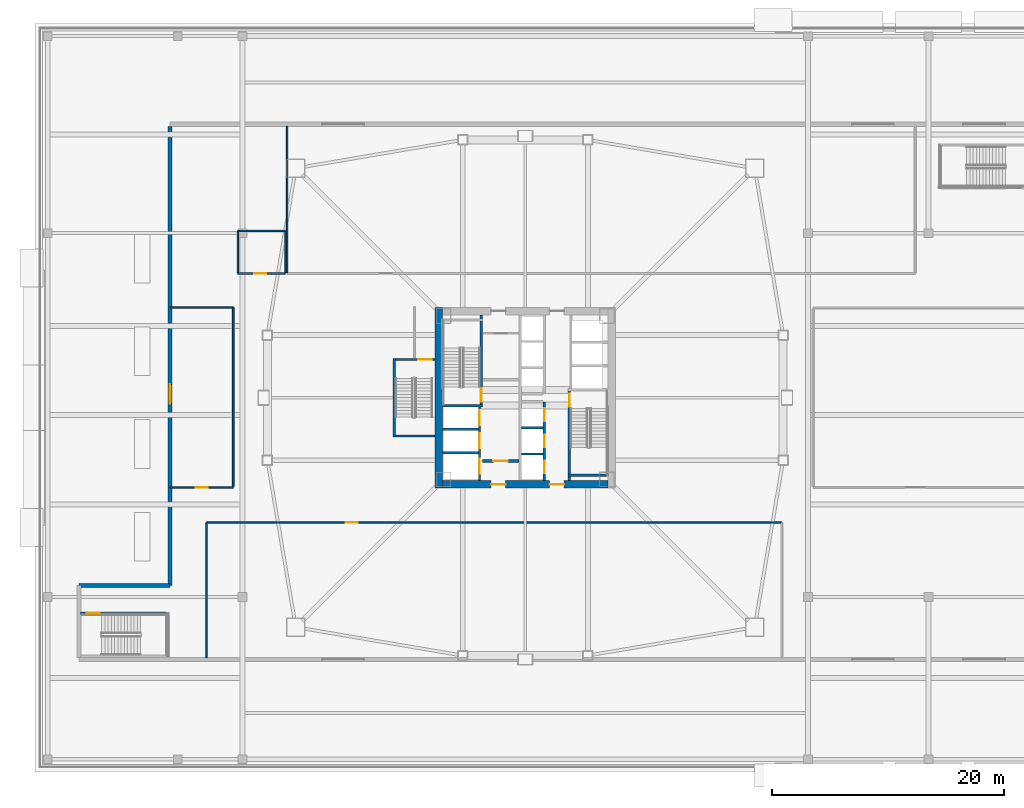
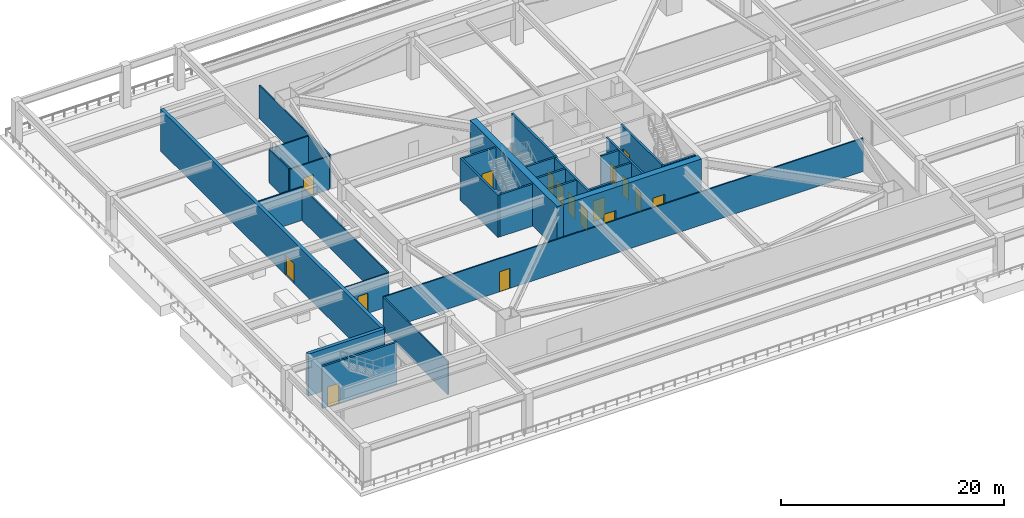
# One storey, part 6 of 21: 29 walls, 17 doors, 17 openings.
"""IFC4 building model written with IfcOpenShell, lengths in metres."""

from ifc_helpers import new_model, si_unit, direction, frame, frame_2d, origin, place, context, subcontext, project, spatial, rectangle, extrude, material, layer, layer_set, type_object, element, fill, save


model = new_model("IFC4")

# Units and contexts
model_context = context("Model", 3, precision=1e-05, world=origin(), true_north=direction((0.0, 1.0)))
body_context = subcontext(model_context, "Body", "Model", "MODEL_VIEW")
ifc_project = project(units=[si_unit("LENGTHUNIT", "METRE"), si_unit("AREAUNIT", "SQUARE_METRE"), si_unit("VOLUMEUNIT", "CUBIC_METRE"), si_unit("PLANEANGLEUNIT", "RADIAN"), si_unit("MASSUNIT", "GRAM", prefix="KILO")], contexts=[model_context])

# Site, building, storey
site_placement = place(None, origin())
site = spatial("IfcSite", under=ifc_project, at=site_placement, CompositionType="ELEMENT")
building_placement = place(site_placement, origin())
building = spatial("IfcBuilding", under=site, at=building_placement, Name="Tashvorn Skyway Center", CompositionType="ELEMENT")
storey_placement = place(building_placement, frame((0.0, 0.0, 19.800048828125)))
storey = spatial("IfcBuildingStorey", under=building, at=storey_placement, Name="L04", CompositionType="ELEMENT", Elevation=19.800048828125)

# Wall
ifc_material_1 = material(Name="Concrete C60/75", Category="concrete")
ifc_layer_1 = layer(ifc_material_1, 0.64990234375)
ifc_layer_set_1 = layer_set([ifc_layer_1], Name="Concrete C60/75")
wall_type_1 = type_object("IfcWallType", Name="WALL-CORE-650", PredefinedType="SHEAR", material=ifc_layer_set_1)
wall_1_placement = place(storey_placement, frame((34.52490234375, 24.199951171875, 0.0), z_axis=(0.0, 0.0, 1.0), x_axis=(0.0, 1.0, 0.0)))
element("IfcWall", 1, at=wall_1_placement, inside=storey, type_object=wall_type_1, Name="Tower 1 L04 West Core Shear Wall", PredefinedType="SHEAR", context=body_context, shape_type="SweptSolid", body=[
    extrude(rectangle(XDim=15.60009765625, YDim=0.64990234375, at=frame_2d((7.800048828125, 0.0))), origin(), (0.0, 0.0, 1.0), 4.800048828125),
])

# Wall, openings, doors
wall_2_placement = place(storey_placement, frame((49.14990234375, 24.52490234375, 0.0), z_axis=(0.0, 0.0, 1.0), x_axis=(-1.0, 0.0, 0.0)))
wall_2 = element("IfcWall", 2, at=wall_2_placement, inside=storey, type_object=wall_type_1, Name="Tower 1 L04 South Core Shear Wall", PredefinedType="SHEAR", context=body_context, shape_type="SweptSolid", body=[
    extrude(rectangle(XDim=14.2998046875, YDim=0.64990234375, at=frame_2d((7.14990234375, 0.0))), origin(), (0.0, 0.0, 1.0), 4.800048828125),
])
opening_1_placement = place(wall_2_placement, frame((8.85009765625, 0.0, 0.0)))
opening_1 = element("IfcOpeningElement", 3, at=opening_1_placement, cuts=wall_2, Name="Opening D-FFL-1250", PredefinedType="OPENING", context=body_context, shape_type="SweptSolid", body=[
    extrude(rectangle(XDim=1.25, YDim=2.25, at=frame_2d((0.625, 1.125))), frame((0.0, 0.3349609375, 0.0), z_axis=(0.0, -1.0, 0.0), x_axis=(1.0, 0.0, 0.0)), (0.0, 0.0, 1.0), 0.669921875),
])
opening_2_placement = place(wall_2_placement, frame((3.800048828125, 0.0, 0.0)))
opening_2 = element("IfcOpeningElement", 4, at=opening_2_placement, cuts=wall_2, Name="Opening D-FFL-1250", PredefinedType="OPENING", context=body_context, shape_type="SweptSolid", body=[
    extrude(rectangle(XDim=1.25, YDim=2.25, at=frame_2d((0.625, 1.125))), frame((0.0, 0.3349609375, 0.0), z_axis=(0.0, -1.0, 0.0), x_axis=(1.0, 0.0, 0.0)), (0.0, 0.0, 1.0), 0.669921875),
])
ifc_material_2 = material(Name="Hollow galvanized steel fire door assembly", Category="steel")
door_type_1 = type_object("IfcDoorType", Name="DOOR-FFL-1250", OperationType="NOTDEFINED", PredefinedType="DOOR", material=ifc_material_2)
door_1_placement = place(opening_1_placement, origin())
door_1 = element("IfcDoor", 5, at=door_1_placement, inside=storey, type_object=door_type_1, Name="Tower 1 L04 Core South Firefighting Exit Door", OperationType="SINGLE_SWING_LEFT", OverallHeight=2.25, OverallWidth=1.25, PredefinedType="DOOR", context=body_context, shape_type="SweptSolid", body=[
    extrude(rectangle(XDim=1.25, YDim=2.25, at=frame_2d((0.625, 1.125))), frame((0.0, 0.02490234375, 0.0), z_axis=(0.0, -1.0, 0.0), x_axis=(1.0, 0.0, 0.0)), (0.0, 0.0, 1.0), 0.050048828125),
])
fill(opening_1, door_1)
door_2_placement = place(opening_2_placement, origin())
door_2 = element("IfcDoor", 6, at=door_2_placement, inside=storey, type_object=door_type_1, Name="Tower 1 L04 Core South Lift Lobby Door", OperationType="SINGLE_SWING_RIGHT", OverallHeight=2.25, OverallWidth=1.25, PredefinedType="DOOR", context=body_context, shape_type="SweptSolid", body=[
    extrude(rectangle(XDim=1.25, YDim=2.25, at=frame_2d((0.625, 1.125))), frame((0.0, 0.02490234375, 0.0), z_axis=(0.0, -1.0, 0.0), x_axis=(1.0, 0.0, 0.0)), (0.0, 0.0, 1.0), 0.050048828125),
])
fill(opening_2, door_2)

# Wall
ifc_material_3 = material(Name="Precast concrete C40/50", Category="concrete")
ifc_layer_2 = layer(ifc_material_3, 0.35009765625)
ifc_layer_set_2 = layer_set([ifc_layer_2], Name="Precast concrete C40/50")
wall_type_2 = type_object("IfcWallType", Name="WALL-EXT-350", PredefinedType="SOLIDWALL", material=ifc_layer_set_2)
wall_3_placement = place(storey_placement, frame((3.5, 15.800048828125, 0.0), z_axis=(0.0, 0.0, 1.0), x_axis=(1.0, 0.0, 0.0)))
element("IfcWall", 7, at=wall_3_placement, inside=storey, type_object=wall_type_2, Name="L04 Stair Pavilion North Step Wall", PredefinedType="SOLIDWALL", context=body_context, shape_type="SweptSolid", body=[
    extrude(rectangle(XDim=7.85009765625, YDim=0.35009765625, at=frame_2d((3.925048828125, 0.0))), origin(), (0.0, 0.0, 1.0), 4.599853515625),
])

# Wall, opening, door
wall_4_placement = place(storey_placement, frame((11.35009765625, 15.800048828125, 0.0), z_axis=(0.0, 0.0, 1.0), x_axis=(0.0, 1.0, 0.0)))
wall_4 = element("IfcWall", 8, at=wall_4_placement, inside=storey, type_object=wall_type_2, Name="L04 Stepped West Postmodern Facade Wall", PredefinedType="SOLIDWALL", context=body_context, shape_type="SweptSolid", body=[
    extrude(rectangle(XDim=39.625, YDim=0.35009765625, at=frame_2d((19.8125, 0.0))), origin(), (0.0, 0.0, 1.0), 4.599853515625),
])
opening_3_placement = place(wall_4_placement, frame((15.699951171875, 0.0, 0.0)))
opening_3 = element("IfcOpeningElement", 9, at=opening_3_placement, cuts=wall_4, Name="Opening D-TER-1650", PredefinedType="OPENING", context=body_context, shape_type="SweptSolid", body=[
    extrude(rectangle(XDim=1.64990234375, YDim=2.199951171875, at=frame_2d((0.824951171875, 1.10009765625))), frame((0.0, 0.18505859375, 0.0), z_axis=(0.0, -1.0, 0.0), x_axis=(1.0, 0.0, 0.0)), (0.0, 0.0, 1.0), 0.3701171875),
])
ifc_material_4 = material(Name="Thermally broken bronze-anodized aluminium 6063-T6", Category="aluminium")
door_type_2 = type_object("IfcDoorType", Name="DOOR-TERR-1650", OperationType="DOUBLE_DOOR_SINGLE_SWING", PredefinedType="DOOR", material=ifc_material_4)
door_3_placement = place(opening_3_placement, origin())
door_3 = element("IfcDoor", 10, at=door_3_placement, inside=storey, type_object=door_type_2, Name="L04 Stepped Colonnade Terrace Access Door", OperationType="DOUBLE_DOOR_SINGLE_SWING", OverallHeight=2.199951171875, OverallWidth=1.64990234375, PredefinedType="DOOR", context=body_context, shape_type="SweptSolid", body=[
    extrude(rectangle(XDim=1.64990234375, YDim=2.199951171875, at=frame_2d((0.824951171875, 1.10009765625))), frame((0.0, 0.02490234375, 0.0), z_axis=(0.0, -1.0, 0.0), x_axis=(1.0, 0.0, 0.0)), (0.0, 0.0, 1.0), 0.050048828125),
])
fill(opening_3, door_3)

ifc_material_5 = material(Name="Concrete C40/50", Category="concrete")
ifc_layer_3 = layer(ifc_material_5, 0.219970703125)
ifc_layer_set_3 = layer_set([ifc_layer_3], Name="Concrete C40/50")
wall_type_3 = type_object("IfcWallType", Name="WALL-FFL-220", PredefinedType="SOLIDWALL", material=ifc_layer_set_3)
wall_5_placement = place(storey_placement, frame((38.300048828125, 26.5400390625, 0.0), z_axis=(0.0, 0.0, 1.0), x_axis=(1.0, 0.0, 0.0)))
wall_5 = element("IfcWall", 11, at=wall_5_placement, inside=storey, type_object=wall_type_3, Name="Tower 1 L04 Firefighting Lobby South Wall", PredefinedType="SOLIDWALL", context=body_context, shape_type="SweptSolid", body=[
    extrude(rectangle(XDim=3.14990234375, YDim=0.219970703125, at=frame_2d((1.574951171875, 0.0))), origin(), (0.0, 0.0, 1.0), 3.64306640625),
])
opening_4_placement = place(wall_5_placement, frame((0.949951171875, 0.0, 0.0)))
opening_4 = element("IfcOpeningElement", 12, at=opening_4_placement, cuts=wall_5, Name="Opening D-FFL-1250", PredefinedType="OPENING", context=body_context, shape_type="SweptSolid", body=[
    extrude(rectangle(XDim=1.25, YDim=2.25, at=frame_2d((0.625, 1.125))), frame((0.0, 0.119873046875, 0.0), z_axis=(0.0, -1.0, 0.0), x_axis=(1.0, 0.0, 0.0)), (0.0, 0.0, 1.0), 0.239990234375),
])
door_4_placement = place(opening_4_placement, origin())
door_4 = element("IfcDoor", 13, at=door_4_placement, inside=storey, type_object=door_type_1, Name="Tower 1 L04 Firefighting Lobby Egress Door", OperationType="SINGLE_SWING_LEFT", OverallHeight=2.25, OverallWidth=1.25, PredefinedType="DOOR", context=body_context, shape_type="SweptSolid", body=[
    extrude(rectangle(XDim=1.25, YDim=2.25, at=frame_2d((0.625, 1.125))), frame((0.0, 0.02490234375, 0.0), z_axis=(0.0, -1.0, 0.0), x_axis=(1.0, 0.0, 0.0)), (0.0, 0.0, 1.0), 0.050048828125),
])
fill(opening_4, door_4)

ifc_material_6 = material(Name="Gypsum board on cold-formed steel stud framing", Category="steel")
ifc_layer_4 = layer(ifc_material_6, 0.135009765625)
ifc_layer_set_4 = layer_set([ifc_layer_4], Name="Gypsum board on cold-formed steel stud framing")
wall_type_4 = type_object("IfcWallType", Name="WALL-PART-135", PredefinedType="PARTITIONING", material=ifc_layer_set_4)
wall_6_placement = place(storey_placement, frame((11.35009765625, 24.25, 0.0), z_axis=(0.0, 0.0, 1.0), x_axis=(1.0, 0.0, 0.0)))
wall_6 = element("IfcWall", 14, at=wall_6_placement, inside=storey, type_object=wall_type_4, Name="L04 West Suite South Wall", PredefinedType="PARTITIONING", context=body_context, shape_type="SweptSolid", body=[
    extrude(rectangle(XDim=5.449951171875, YDim=0.135009765625, at=frame_2d((2.72509765625, 0.0))), origin(), (0.0, 0.0, 1.0), 3.64306640625),
])
opening_5_placement = place(wall_6_placement, frame((2.199951171875, 0.0, 0.0)))
opening_5 = element("IfcOpeningElement", 15, at=opening_5_placement, cuts=wall_6, Name="Opening D-ACC-1050", PredefinedType="OPENING", context=body_context, shape_type="SweptSolid", body=[
    extrude(rectangle(XDim=1.050048828125, YDim=2.199951171875, at=frame_2d((0.52490234375, 1.10009765625))), frame((0.0, 0.077392578125, 0.0), z_axis=(0.0, -1.0, 0.0), x_axis=(1.0, 0.0, 0.0)), (0.0, 0.0, 1.0), 0.155029296875),
])
ifc_material_7 = material(Name="Solid-core architectural oak veneer door")
door_type_3 = type_object("IfcDoorType", Name="DOOR-ACC-1050", OperationType="NOTDEFINED", PredefinedType="DOOR", material=ifc_material_7)
door_5_placement = place(opening_5_placement, origin())
door_5 = element("IfcDoor", 16, at=door_5_placement, inside=storey, type_object=door_type_3, Name="L04 Occupational Health Clinic Door", OperationType="SINGLE_SWING_LEFT", OverallHeight=2.199951171875, OverallWidth=1.050048828125, PredefinedType="DOOR", context=body_context, shape_type="SweptSolid", body=[
    extrude(rectangle(XDim=1.050048828125, YDim=2.199951171875, at=frame_2d((0.52490234375, 1.10009765625))), frame((0.0, 0.02490234375, 0.0), z_axis=(0.0, -1.0, 0.0), x_axis=(1.0, 0.0, 0.0)), (0.0, 0.0, 1.0), 0.050048828125),
])
fill(opening_5, door_5)

# Walls
wall_7_placement = place(storey_placement, frame((16.800048828125, 24.35009765625, 0.0), z_axis=(0.0, 0.0, 1.0), x_axis=(0.0, 1.0, 0.0)))
element("IfcWall", 17, at=wall_7_placement, inside=storey, type_object=wall_type_4, Name="L04 West Suite East Wall", PredefinedType="PARTITIONING", context=body_context, shape_type="SweptSolid", body=[
    extrude(rectangle(XDim=15.39990234375, YDim=0.135009765625, at=frame_2d((7.699951171875, 0.0))), origin(), (0.0, 0.0, 1.0), 3.64306640625),
])
wall_8_placement = place(storey_placement, frame((11.35009765625, 39.780029296875, 0.0), z_axis=(0.0, 0.0, 1.0), x_axis=(1.0, 0.0, 0.0)))
element("IfcWall", 18, at=wall_8_placement, inside=storey, type_object=wall_type_4, Name="L04 West Suite North Wall", PredefinedType="PARTITIONING", context=body_context, shape_type="SweptSolid", body=[
    extrude(rectangle(XDim=5.449951171875, YDim=0.135009765625, at=frame_2d((2.72509765625, 0.0))), origin(), (0.0, 0.0, 1.0), 3.64306640625),
])
wall_9_placement = place(storey_placement, frame((21.449951171875, 42.800048828125, 0.0), z_axis=(0.0, 0.0, 1.0), x_axis=(0.0, 1.0, 0.0)))
element("IfcWall", 19, at=wall_9_placement, inside=storey, type_object=wall_type_4, Name="L04 North Suite West Wall", PredefinedType="PARTITIONING", context=body_context, shape_type="SweptSolid", body=[
    extrude(rectangle(XDim=12.619873046875, YDim=0.135009765625, at=frame_2d((6.31005859375, 0.0))), origin(), (0.0, 0.0, 1.0), 3.64306640625),
])

# Wall, opening, door
wall_10_placement = place(storey_placement, frame((14.5, 21.25, 0.0), z_axis=(0.0, 0.0, 1.0), x_axis=(1.0, 0.0, 0.0)))
wall_10 = element("IfcWall", 20, at=wall_10_placement, inside=storey, type_object=wall_type_4, Name="L04 South Suite Wall", PredefinedType="PARTITIONING", context=body_context, shape_type="SweptSolid", body=[
    extrude(rectangle(XDim=49.64990234375, YDim=0.135009765625, at=frame_2d((24.824951171875, 0.0))), origin(), (0.0, 0.0, 1.0), 3.64306640625),
])
opening_6_placement = place(wall_10_placement, frame((12.0, 0.0, 0.0)))
opening_6 = element("IfcOpeningElement", 21, at=opening_6_placement, cuts=wall_10, Name="Opening D-ACC-1050", PredefinedType="OPENING", context=body_context, shape_type="SweptSolid", body=[
    extrude(rectangle(XDim=1.050048828125, YDim=2.199951171875, at=frame_2d((0.52490234375, 1.10009765625))), frame((0.0, 0.077392578125, 0.0), z_axis=(0.0, -1.0, 0.0), x_axis=(1.0, 0.0, 0.0)), (0.0, 0.0, 1.0), 0.155029296875),
])
door_6_placement = place(opening_6_placement, origin())
door_6 = element("IfcDoor", 22, at=door_6_placement, inside=storey, type_object=door_type_3, Name="L04 Corporate Training Center Door", OperationType="SINGLE_SWING_LEFT", OverallHeight=2.199951171875, OverallWidth=1.050048828125, PredefinedType="DOOR", context=body_context, shape_type="SweptSolid", body=[
    extrude(rectangle(XDim=1.050048828125, YDim=2.199951171875, at=frame_2d((0.52490234375, 1.10009765625))), frame((0.0, 0.02490234375, 0.0), z_axis=(0.0, -1.0, 0.0), x_axis=(1.0, 0.0, 0.0)), (0.0, 0.0, 1.0), 0.050048828125),
])
fill(opening_6, door_6)

# Wall
wall_11_placement = place(storey_placement, frame((14.5, 9.580078125, 0.0), z_axis=(0.0, 0.0, 1.0), x_axis=(0.0, 1.0, 0.0)))
element("IfcWall", 23, at=wall_11_placement, inside=storey, type_object=wall_type_4, Name="L04 South Suite West Wall", PredefinedType="PARTITIONING", context=body_context, shape_type="SweptSolid", body=[
    extrude(rectangle(XDim=11.619873046875, YDim=0.135009765625, at=frame_2d((5.81005859375, 0.0))), origin(), (0.0, 0.0, 1.0), 3.64306640625),
])

# Wall, opening, door
wall_12_placement = place(storey_placement, frame((17.199951171875, 42.719970703125, 0.0), z_axis=(0.0, 0.0, 1.0), x_axis=(1.0, 0.0, 0.0)))
wall_12 = element("IfcWall", 24, at=wall_12_placement, inside=storey, type_object=wall_type_4, Name="L04 Restroom South Wall", PredefinedType="PARTITIONING", context=body_context, shape_type="SweptSolid", body=[
    extrude(rectangle(XDim=4.10009765625, YDim=0.135009765625, at=frame_2d((2.050048828125, 0.0))), origin(), (0.0, 0.0, 1.0), 3.64306640625),
])
opening_7_placement = place(wall_12_placement, frame((1.39990234375, 0.0, 0.0)))
opening_7 = element("IfcOpeningElement", 25, at=opening_7_placement, cuts=wall_12, Name="Opening D-ACC-1050", PredefinedType="OPENING", context=body_context, shape_type="SweptSolid", body=[
    extrude(rectangle(XDim=1.050048828125, YDim=2.199951171875, at=frame_2d((0.52490234375, 1.10009765625))), frame((0.0, 0.077392578125, 0.0), z_axis=(0.0, -1.0, 0.0), x_axis=(1.0, 0.0, 0.0)), (0.0, 0.0, 1.0), 0.155029296875),
])
door_7_placement = place(opening_7_placement, origin())
door_7 = element("IfcDoor", 26, at=door_7_placement, inside=storey, type_object=door_type_3, Name="L04 Accessible Restroom Door", OperationType="SINGLE_SWING_LEFT", OverallHeight=2.199951171875, OverallWidth=1.050048828125, PredefinedType="DOOR", context=body_context, shape_type="SweptSolid", body=[
    extrude(rectangle(XDim=1.050048828125, YDim=2.199951171875, at=frame_2d((0.52490234375, 1.10009765625))), frame((0.0, 0.02490234375, 0.0), z_axis=(0.0, -1.0, 0.0), x_axis=(1.0, 0.0, 0.0)), (0.0, 0.0, 1.0), 0.050048828125),
])
fill(opening_7, door_7)

# Walls
wall_13_placement = place(storey_placement, frame((17.199951171875, 46.39990234375, 0.0), z_axis=(0.0, 0.0, 1.0), x_axis=(1.0, 0.0, 0.0)))
element("IfcWall", 27, at=wall_13_placement, inside=storey, type_object=wall_type_4, Name="L04 Restroom North Wall", PredefinedType="PARTITIONING", context=body_context, shape_type="SweptSolid", body=[
    extrude(rectangle(XDim=4.10009765625, YDim=0.135009765625, at=frame_2d((2.050048828125, 0.0))), origin(), (0.0, 0.0, 1.0), 3.64306640625),
])
for number, where, z_axis, x_axis, name in (
    (28, (17.199951171875, 42.800048828125, 0.0), (0.0, 0.0, 1.0), (0.0, 1.0, 0.0), "L04 Restroom West Wall"),
    (29, (21.300048828125, 42.800048828125, 0.0), (0.0, 0.0, 1.0), (0.0, 1.0, 0.0), "L04 Restroom East Wall"),
):
    element("IfcWall", number, at=place(storey_placement, frame(where, z_axis=z_axis, x_axis=x_axis)), inside=storey, type_object=wall_type_4, Name=name, PredefinedType="PARTITIONING", context=body_context, shape_type="SweptSolid", body=[
        extrude(rectangle(XDim=3.550048828125, YDim=0.135009765625, at=frame_2d((1.77490234375, 0.0))), origin(), (0.0, 0.0, 1.0), 3.64306640625),
    ])
ifc_layer_5 = layer(ifc_material_5, 0.199951171875)
ifc_layer_set_5 = layer_set([ifc_layer_5], Name="Concrete C40/50")
wall_type_5 = type_object("IfcWallType", Name="WALL-SHAFT-200", PredefinedType="SOLIDWALL", material=ifc_layer_set_5)
for number, where, z_axis, x_axis, name in (
    (30, (34.85009765625, 27.25, 0.0), (0.0, 0.0, 1.0), (1.0, 0.0, 0.0), "Tower 1 L04 FSAE Shaft Divider"),
    (31, (34.85009765625, 29.280029296875, 0.0), (0.0, 0.0, 1.0), (1.0, 0.0, 0.0), "Tower 1 L04 FSAE Shaft Divider"),
):
    element("IfcWall", number, at=place(storey_placement, frame(where, z_axis=z_axis, x_axis=x_axis)), inside=storey, type_object=wall_type_5, Name=name, PredefinedType="SOLIDWALL", context=body_context, shape_type="SweptSolid", body=[
        extrude(rectangle(XDim=3.099853515625, YDim=0.199951171875, at=frame_2d((1.5498046875, 0.0))), origin(), (0.0, 0.0, 1.0), 4.599853515625),
    ])

# Wall, openings, doors
wall_14_placement = place(storey_placement, frame((43.64990234375, 24.85009765625, 0.0), z_axis=(0.0, 0.0, 1.0), x_axis=(0.0, 1.0, 0.0)))
wall_14 = element("IfcWall", 32, at=wall_14_placement, inside=storey, type_object=wall_type_5, Name="Tower 1 L04 Low-Rise Core Wall", PredefinedType="SOLIDWALL", context=body_context, shape_type="SweptSolid", body=[
    extrude(rectangle(XDim=6.7998046875, YDim=0.199951171875, at=frame_2d((3.39990234375, 0.0))), origin(), (0.0, 0.0, 1.0), 4.599853515625),
])
opening_8_placement = place(wall_14_placement, frame((0.625, 0.0, 0.0)))
opening_8 = element("IfcOpeningElement", 33, at=opening_8_placement, cuts=wall_14, Name="Opening LD-LR-T1-1-L04", PredefinedType="OPENING", context=body_context, shape_type="SweptSolid", body=[
    extrude(rectangle(XDim=1.10009765625, YDim=2.199951171875, at=frame_2d((0.550048828125, 1.10009765625))), frame((0.0, 0.10986328125, 0.0), z_axis=(0.0, -1.0, 0.0), x_axis=(1.0, 0.0, 0.0)), (0.0, 0.0, 1.0), 0.219970703125),
])
opening_9_placement = place(wall_14_placement, frame((2.875, 0.0, 0.0)))
opening_9 = element("IfcOpeningElement", 34, at=opening_9_placement, cuts=wall_14, Name="Opening LD-LR-T1-2-L04", PredefinedType="OPENING", context=body_context, shape_type="SweptSolid", body=[
    extrude(rectangle(XDim=1.10009765625, YDim=2.199951171875, at=frame_2d((0.550048828125, 1.10009765625))), frame((0.0, 0.10986328125, 0.0), z_axis=(0.0, -1.0, 0.0), x_axis=(1.0, 0.0, 0.0)), (0.0, 0.0, 1.0), 0.219970703125),
])
opening_10_placement = place(wall_14_placement, frame((5.125, 0.0, 0.0)))
opening_10 = element("IfcOpeningElement", 35, at=opening_10_placement, cuts=wall_14, Name="Opening LD-LR-T1-3-L04", PredefinedType="OPENING", context=body_context, shape_type="SweptSolid", body=[
    extrude(rectangle(XDim=1.10009765625, YDim=2.199951171875, at=frame_2d((0.550048828125, 1.10009765625))), frame((0.0, 0.10986328125, 0.0), z_axis=(0.0, -1.0, 0.0), x_axis=(1.0, 0.0, 0.0)), (0.0, 0.0, 1.0), 0.219970703125),
])
ifc_material_8 = material(Name="Stainless steel landing door", Category="steel")
door_type_4 = type_object("IfcDoorType", Name="DOOR-LIFT-1100", OperationType="SLIDING_TO_LEFT", PredefinedType="DOOR", material=ifc_material_8)
door_8_placement = place(opening_8_placement, origin())
door_8 = element("IfcDoor", 36, at=door_8_placement, inside=storey, type_object=door_type_4, Name="Lift LR-T1-1 L04 Landing Door", OperationType="SLIDING_TO_LEFT", OverallHeight=2.199951171875, OverallWidth=1.10009765625, PredefinedType="DOOR", context=body_context, shape_type="SweptSolid", body=[
    extrude(rectangle(XDim=1.10009765625, YDim=2.199951171875, at=frame_2d((0.550048828125, 1.10009765625))), frame((0.0, 0.02490234375, 0.0), z_axis=(0.0, -1.0, 0.0), x_axis=(1.0, 0.0, 0.0)), (0.0, 0.0, 1.0), 0.050048828125),
])
fill(opening_8, door_8)
door_9_placement = place(opening_9_placement, origin())
door_9 = element("IfcDoor", 37, at=door_9_placement, inside=storey, type_object=door_type_4, Name="Lift LR-T1-2 L04 Landing Door", OperationType="SLIDING_TO_LEFT", OverallHeight=2.199951171875, OverallWidth=1.10009765625, PredefinedType="DOOR", context=body_context, shape_type="SweptSolid", body=[
    extrude(rectangle(XDim=1.10009765625, YDim=2.199951171875, at=frame_2d((0.550048828125, 1.10009765625))), frame((0.0, 0.02490234375, 0.0), z_axis=(0.0, -1.0, 0.0), x_axis=(1.0, 0.0, 0.0)), (0.0, 0.0, 1.0), 0.050048828125),
])
fill(opening_9, door_9)
door_10_placement = place(opening_10_placement, origin())
door_10 = element("IfcDoor", 38, at=door_10_placement, inside=storey, type_object=door_type_4, Name="Lift LR-T1-3 L04 Landing Door", OperationType="SLIDING_TO_LEFT", OverallHeight=2.199951171875, OverallWidth=1.10009765625, PredefinedType="DOOR", context=body_context, shape_type="SweptSolid", body=[
    extrude(rectangle(XDim=1.10009765625, YDim=2.199951171875, at=frame_2d((0.550048828125, 1.10009765625))), frame((0.0, 0.02490234375, 0.0), z_axis=(0.0, -1.0, 0.0), x_axis=(1.0, 0.0, 0.0)), (0.0, 0.0, 1.0), 0.050048828125),
])
fill(opening_10, door_10)

# Walls
for number, where, z_axis, x_axis, name in (
    (39, (41.669921875, 27.14990234375, 0.0), (0.0, 0.0, 1.0), (1.0, 0.0, 0.0), "Tower 1 L04 Low-Rise Shaft Divider"),
    (40, (41.669921875, 29.39990234375, 0.0), (0.0, 0.0, 1.0), (1.0, 0.0, 0.0), "Tower 1 L04 Low-Rise Shaft Divider"),
):
    element("IfcWall", number, at=place(storey_placement, frame(where, z_axis=z_axis, x_axis=x_axis)), inside=storey, type_object=wall_type_5, Name=name, PredefinedType="SOLIDWALL", context=body_context, shape_type="SweptSolid", body=[
        extrude(rectangle(XDim=1.880126953125, YDim=0.199951171875, at=frame_2d((0.93994140625, 0.0))), origin(), (0.0, 0.0, 1.0), 4.599853515625),
    ])

# Wall, opening, door
ifc_layer_6 = layer(ifc_material_5, 0.199951171875)
ifc_layer_set_6 = layer_set([ifc_layer_6], Name="Concrete C40/50")
wall_type_6 = type_object("IfcWallType", Name="WALL-STSHF-200", PredefinedType="SHEAR", material=ifc_layer_set_6)
wall_15_placement = place(storey_placement, frame((38.199951171875, 31.199951171875, 0.0), z_axis=(0.0, 0.0, 1.0), x_axis=(0.0, 1.0, 0.0)))
wall_15 = element("IfcWall", 41, at=wall_15_placement, inside=storey, type_object=wall_type_6, Name="Tower 1 L04 Stair 1 Enclosure Wall", PredefinedType="SHEAR", context=body_context, shape_type="SweptSolid", body=[
    extrude(rectangle(XDim=7.949951171875, YDim=0.199951171875, at=frame_2d((3.97509765625, 0.0))), origin(), (0.0, 0.0, 1.0), 4.599853515625),
])
opening_11_placement = place(wall_15_placement, frame((0.449951171875, 0.0, 0.0)))
opening_11 = element("IfcOpeningElement", 42, at=opening_11_placement, cuts=wall_15, Name="Opening D-ST-1150", PredefinedType="OPENING", context=body_context, shape_type="SweptSolid", body=[
    extrude(rectangle(XDim=1.14990234375, YDim=2.199951171875, at=frame_2d((0.574951171875, 1.10009765625))), frame((0.0, 0.10986328125, 0.0), z_axis=(0.0, -1.0, 0.0), x_axis=(1.0, 0.0, 0.0)), (0.0, 0.0, 1.0), 0.219970703125),
])
door_type_5 = type_object("IfcDoorType", Name="DOOR-STAIR-1150", OperationType="NOTDEFINED", PredefinedType="DOOR", material=ifc_material_2)
door_11_placement = place(opening_11_placement, origin())
door_11 = element("IfcDoor", 43, at=door_11_placement, inside=storey, type_object=door_type_5, Name="Tower 1 L04 Exit Stair 1 Door", OperationType="SINGLE_SWING_RIGHT", OverallHeight=2.199951171875, OverallWidth=1.14990234375, PredefinedType="DOOR", context=body_context, shape_type="SweptSolid", body=[
    extrude(rectangle(XDim=1.14990234375, YDim=2.199951171875, at=frame_2d((0.574951171875, 1.10009765625))), frame((0.0, 0.02490234375, 0.0), z_axis=(0.0, -1.0, 0.0), x_axis=(1.0, 0.0, 0.0)), (0.0, 0.0, 1.0), 0.050048828125),
])
fill(opening_11, door_11)

# Wall
wall_16_placement = place(storey_placement, frame((34.85009765625, 31.300048828125, 0.0), z_axis=(0.0, 0.0, 1.0), x_axis=(1.0, 0.0, 0.0)))
element("IfcWall", 44, at=wall_16_placement, inside=storey, type_object=wall_type_6, Name="Tower 1 L04 Stair 1 South Wall", PredefinedType="SHEAR", context=body_context, shape_type="SweptSolid", body=[
    extrude(rectangle(XDim=3.449951171875, YDim=0.199951171875, at=frame_2d((1.72509765625, 0.0))), origin(), (0.0, 0.0, 1.0), 4.599853515625),
])

# Wall, opening, door
wall_17_placement = place(storey_placement, frame((45.800048828125, 32.800048828125, 0.0), z_axis=(0.0, 0.0, 1.0), x_axis=(0.0, -1.0, 0.0)))
wall_17 = element("IfcWall", 45, at=wall_17_placement, inside=storey, type_object=wall_type_6, Name="Tower 1 L04 Stair 2 Enclosure Wall", PredefinedType="SHEAR", context=body_context, shape_type="SweptSolid", body=[
    extrude(rectangle(XDim=7.949951171875, YDim=0.199951171875, at=frame_2d((3.97509765625, 0.0))), origin(), (0.0, 0.0, 1.0), 4.599853515625),
])
opening_12_placement = place(wall_17_placement, frame((0.449951171875, 0.0, 0.0)))
opening_12 = element("IfcOpeningElement", 46, at=opening_12_placement, cuts=wall_17, Name="Opening D-ST-1150", PredefinedType="OPENING", context=body_context, shape_type="SweptSolid", body=[
    extrude(rectangle(XDim=1.14990234375, YDim=2.199951171875, at=frame_2d((0.574951171875, 1.10009765625))), frame((0.0, 0.10986328125, 0.0), z_axis=(0.0, -1.0, 0.0), x_axis=(1.0, 0.0, 0.0)), (0.0, 0.0, 1.0), 0.219970703125),
])
door_12_placement = place(opening_12_placement, origin())
door_12 = element("IfcDoor", 47, at=door_12_placement, inside=storey, type_object=door_type_5, Name="Tower 1 L04 Exit Stair 2 Door", OperationType="SINGLE_SWING_RIGHT", OverallHeight=2.199951171875, OverallWidth=1.14990234375, PredefinedType="DOOR", context=body_context, shape_type="SweptSolid", body=[
    extrude(rectangle(XDim=1.14990234375, YDim=2.199951171875, at=frame_2d((0.574951171875, 1.10009765625))), frame((0.0, 0.02490234375, 0.0), z_axis=(0.0, -1.0, 0.0), x_axis=(1.0, 0.0, 0.0)), (0.0, 0.0, 1.0), 0.050048828125),
])
fill(opening_12, door_12)

# Wall
wall_18_placement = place(storey_placement, frame((45.699951171875, 25.300048828125, 0.0), z_axis=(0.0, 0.0, 1.0), x_axis=(1.0, 0.0, 0.0)))
element("IfcWall", 48, at=wall_18_placement, inside=storey, type_object=wall_type_6, Name="Tower 1 L04 Stair 2 South Wall", PredefinedType="SHEAR", context=body_context, shape_type="SweptSolid", body=[
    extrude(rectangle(XDim=3.449951171875, YDim=0.199951171875, at=frame_2d((1.72509765625, 0.0))), origin(), (0.0, 0.0, 1.0), 4.599853515625),
])

# Wall, openings, doors
wall_19_placement = place(storey_placement, frame((38.050048828125, 24.85009765625, 0.0), z_axis=(0.0, 0.0, 1.0), x_axis=(0.0, 1.0, 0.0)))
wall_19 = element("IfcWall", 49, at=wall_19_placement, inside=storey, type_object=wall_type_6, Name="Tower 1 L04 FSAE and Goods Shaft Front Wall", PredefinedType="SHEAR", context=body_context, shape_type="SweptSolid", body=[
    extrude(rectangle(XDim=6.349853515625, YDim=0.199951171875, at=frame_2d((3.1748046875, 0.0))), origin(), (0.0, 0.0, 1.0), 4.599853515625),
])
opening_13_placement = place(wall_19_placement, frame((4.77490234375, 0.0, 0.0)))
opening_13 = element("IfcOpeningElement", 50, at=opening_13_placement, cuts=wall_19, Name="Opening LD-FF-T1-1-L04", PredefinedType="OPENING", context=body_context, shape_type="SweptSolid", body=[
    extrude(rectangle(XDim=1.300048828125, YDim=2.25, at=frame_2d((0.64990234375, 1.125))), frame((0.0, 0.10986328125, 0.0), z_axis=(0.0, -1.0, 0.0), x_axis=(1.0, 0.0, 0.0)), (0.0, 0.0, 1.0), 0.219970703125),
])
opening_14_placement = place(wall_19_placement, frame((2.77490234375, 0.0, 0.0)))
opening_14 = element("IfcOpeningElement", 51, at=opening_14_placement, cuts=wall_19, Name="Opening LD-FF-T1-2-L04", PredefinedType="OPENING", context=body_context, shape_type="SweptSolid", body=[
    extrude(rectangle(XDim=1.300048828125, YDim=2.25, at=frame_2d((0.64990234375, 1.125))), frame((0.0, 0.10986328125, 0.0), z_axis=(0.0, -1.0, 0.0), x_axis=(1.0, 0.0, 0.0)), (0.0, 0.0, 1.0), 0.219970703125),
])
opening_15_placement = place(wall_19_placement, frame((0.574951171875, 0.0, 0.0)))
opening_15 = element("IfcOpeningElement", 52, at=opening_15_placement, cuts=wall_19, Name="Opening LD-GD-T1-1-L04", PredefinedType="OPENING", context=body_context, shape_type="SweptSolid", body=[
    extrude(rectangle(XDim=1.300048828125, YDim=2.25, at=frame_2d((0.64990234375, 1.125))), frame((0.0, 0.10986328125, 0.0), z_axis=(0.0, -1.0, 0.0), x_axis=(1.0, 0.0, 0.0)), (0.0, 0.0, 1.0), 0.219970703125),
])
ifc_material_9 = material(Name="Stainless steel heavy-duty landing door", Category="steel")
door_type_6 = type_object("IfcDoorType", Name="DOOR-LIFT-1300", OperationType="SLIDING_TO_LEFT", PredefinedType="DOOR", material=ifc_material_9)
door_13_placement = place(opening_13_placement, origin())
door_13 = element("IfcDoor", 53, at=door_13_placement, inside=storey, type_object=door_type_6, Name="Lift FF-T1-1 L04 Landing Door", OperationType="SLIDING_TO_LEFT", OverallHeight=2.25, OverallWidth=1.300048828125, PredefinedType="DOOR", context=body_context, shape_type="SweptSolid", body=[
    extrude(rectangle(XDim=1.300048828125, YDim=2.25, at=frame_2d((0.64990234375, 1.125))), frame((0.0, 0.02490234375, 0.0), z_axis=(0.0, -1.0, 0.0), x_axis=(1.0, 0.0, 0.0)), (0.0, 0.0, 1.0), 0.050048828125),
])
fill(opening_13, door_13)
door_14_placement = place(opening_14_placement, origin())
door_14 = element("IfcDoor", 54, at=door_14_placement, inside=storey, type_object=door_type_6, Name="Lift FF-T1-2 L04 Landing Door", OperationType="SLIDING_TO_LEFT", OverallHeight=2.25, OverallWidth=1.300048828125, PredefinedType="DOOR", context=body_context, shape_type="SweptSolid", body=[
    extrude(rectangle(XDim=1.300048828125, YDim=2.25, at=frame_2d((0.64990234375, 1.125))), frame((0.0, 0.02490234375, 0.0), z_axis=(0.0, -1.0, 0.0), x_axis=(1.0, 0.0, 0.0)), (0.0, 0.0, 1.0), 0.050048828125),
])
fill(opening_14, door_14)
door_15_placement = place(opening_15_placement, origin())
door_15 = element("IfcDoor", 55, at=door_15_placement, inside=storey, type_object=door_type_6, Name="Lift GD-T1-1 L04 Landing Door", OperationType="SLIDING_TO_LEFT", OverallHeight=2.25, OverallWidth=1.300048828125, PredefinedType="DOOR", context=body_context, shape_type="SweptSolid", body=[
    extrude(rectangle(XDim=1.300048828125, YDim=2.25, at=frame_2d((0.64990234375, 1.125))), frame((0.0, 0.02490234375, 0.0), z_axis=(0.0, -1.0, 0.0), x_axis=(1.0, 0.0, 0.0)), (0.0, 0.0, 1.0), 0.050048828125),
])
fill(opening_15, door_15)

# Wall
wall_20_placement = place(storey_placement, frame((30.699951171875, 28.60009765625, 0.0), z_axis=(0.0, 0.0, 1.0), x_axis=(0.0, 1.0, 0.0)))
element("IfcWall", 56, at=wall_20_placement, inside=storey, type_object=wall_type_6, Name="Tower 1 L04 Stair 3 Outer Wall", PredefinedType="SHEAR", context=body_context, shape_type="SweptSolid", body=[
    extrude(rectangle(XDim=6.7998046875, YDim=0.199951171875, at=frame_2d((3.39990234375, 0.0))), origin(), (0.0, 0.0, 1.0), 4.599853515625),
])

# Wall, opening, door
wall_21_placement = place(storey_placement, frame((34.199951171875, 35.300048828125, 0.0), z_axis=(0.0, 0.0, 1.0), x_axis=(-1.0, 0.0, 0.0)))
wall_21 = element("IfcWall", 57, at=wall_21_placement, inside=storey, type_object=wall_type_6, Name="Tower 1 L04 Stair 3 Enclosure Wall", PredefinedType="SHEAR", context=body_context, shape_type="SweptSolid", body=[
    extrude(rectangle(XDim=3.39990234375, YDim=0.199951171875, at=frame_2d((1.699951171875, 0.0))), origin(), (0.0, 0.0, 1.0), 4.599853515625),
])
opening_16_placement = place(wall_21_placement, frame((0.27490234375, 0.0, 0.0)))
opening_16 = element("IfcOpeningElement", 58, at=opening_16_placement, cuts=wall_21, Name="Opening D-ST-1150", PredefinedType="OPENING", context=body_context, shape_type="SweptSolid", body=[
    extrude(rectangle(XDim=1.14990234375, YDim=2.199951171875, at=frame_2d((0.574951171875, 1.10009765625))), frame((0.0, 0.10986328125, 0.0), z_axis=(0.0, -1.0, 0.0), x_axis=(1.0, 0.0, 0.0)), (0.0, 0.0, 1.0), 0.219970703125),
])
door_16_placement = place(opening_16_placement, origin())
door_16 = element("IfcDoor", 59, at=door_16_placement, inside=storey, type_object=door_type_5, Name="Tower 1 L04 Exit Stair 3 Door", OperationType="SINGLE_SWING_RIGHT", OverallHeight=2.199951171875, OverallWidth=1.14990234375, PredefinedType="DOOR", context=body_context, shape_type="SweptSolid", body=[
    extrude(rectangle(XDim=1.14990234375, YDim=2.199951171875, at=frame_2d((0.574951171875, 1.10009765625))), frame((0.0, 0.02490234375, 0.0), z_axis=(0.0, -1.0, 0.0), x_axis=(1.0, 0.0, 0.0)), (0.0, 0.0, 1.0), 0.050048828125),
])
fill(opening_16, door_16)

# Wall
wall_22_placement = place(storey_placement, frame((30.800048828125, 28.699951171875, 0.0), z_axis=(0.0, 0.0, 1.0), x_axis=(1.0, 0.0, 0.0)))
element("IfcWall", 60, at=wall_22_placement, inside=storey, type_object=wall_type_6, Name="Tower 1 L04 Stair 3 South Wall", PredefinedType="SHEAR", context=body_context, shape_type="SweptSolid", body=[
    extrude(rectangle(XDim=3.39990234375, YDim=0.199951171875, at=frame_2d((1.699951171875, 0.0))), origin(), (0.0, 0.0, 1.0), 4.599853515625),
])

# Wall, opening, door
wall_23_placement = place(storey_placement, frame((11.300048828125, 13.39990234375, 0.0), z_axis=(0.0, 0.0, 1.0), x_axis=(-1.0, 0.0, 0.0)))
wall_23 = element("IfcWall", 61, at=wall_23_placement, inside=storey, type_object=wall_type_6, Name="L04 Podium Stair 1 North Wall", PredefinedType="SHEAR", context=body_context, shape_type="SweptSolid", body=[
    extrude(rectangle(XDim=7.699951171875, YDim=0.199951171875, at=frame_2d((3.85009765625, 0.0))), origin(), (0.0, 0.0, 1.0), 4.599853515625),
])
opening_17_placement = place(wall_23_placement, frame((6.0, 0.0, 0.0)))
opening_17 = element("IfcOpeningElement", 62, at=opening_17_placement, cuts=wall_23, Name="Opening D-ST-1150", PredefinedType="OPENING", context=body_context, shape_type="SweptSolid", body=[
    extrude(rectangle(XDim=1.14990234375, YDim=2.199951171875, at=frame_2d((0.574951171875, 1.10009765625))), frame((0.0, 0.10986328125, 0.0), z_axis=(0.0, -1.0, 0.0), x_axis=(1.0, 0.0, 0.0)), (0.0, 0.0, 1.0), 0.219970703125),
])
door_17_placement = place(opening_17_placement, origin())
door_17 = element("IfcDoor", 63, at=door_17_placement, inside=storey, type_object=door_type_5, Name="L04 Podium Stair 1 Door", OperationType="SINGLE_SWING_LEFT", OverallHeight=2.199951171875, OverallWidth=1.14990234375, PredefinedType="DOOR", context=body_context, shape_type="SweptSolid", body=[
    extrude(rectangle(XDim=1.14990234375, YDim=2.199951171875, at=frame_2d((0.574951171875, 1.10009765625))), frame((0.0, 0.02490234375, 0.0), z_axis=(0.0, -1.0, 0.0), x_axis=(1.0, 0.0, 0.0)), (0.0, 0.0, 1.0), 0.050048828125),
])
fill(opening_17, door_17)

save(model, "model.ifc")
